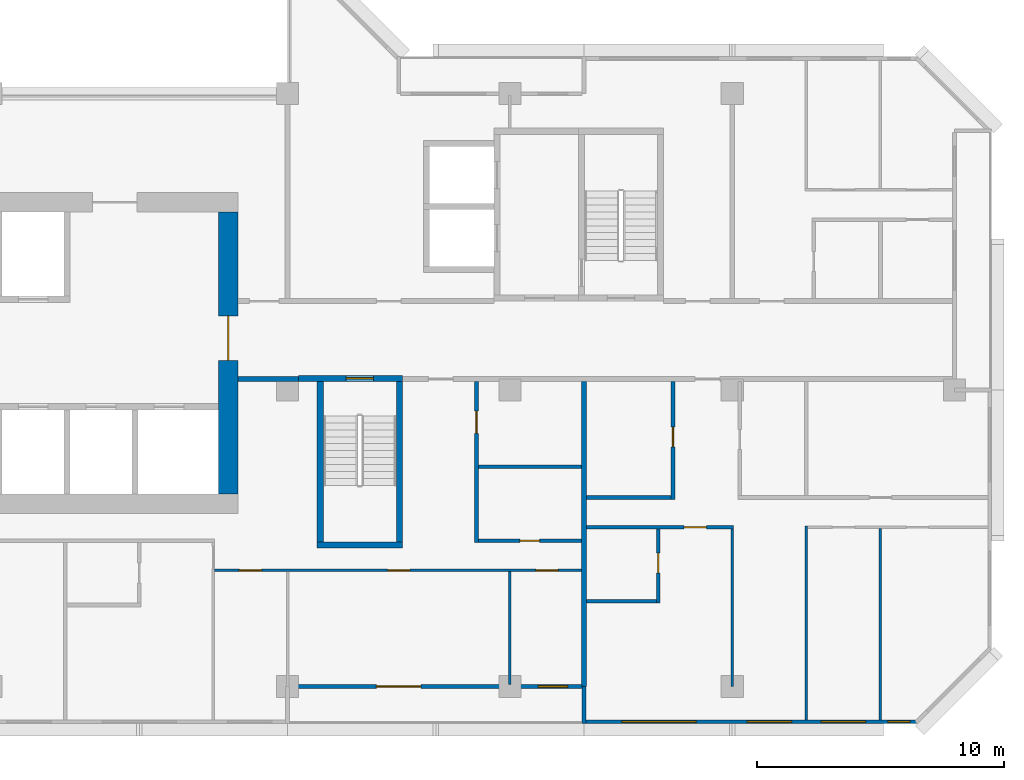
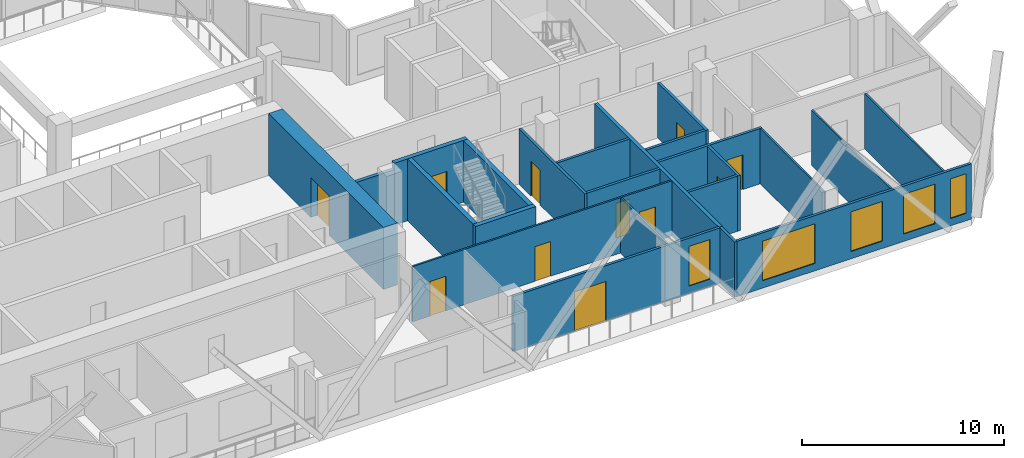
# One storey, part 6 of 14: 23 walls, 11 doors, 5 windows, 16 openings.
"""IFC4 building model written with IfcOpenShell, lengths in metres."""

from ifc_helpers import new_model, si_unit, direction, frame, frame_2d, origin, place, context, subcontext, project, spatial, rectangle, extrude, material, layer, layer_set, type_object, element, fill, save


model = new_model("IFC4")

# Units and contexts
model_context = context("Model", 3, precision=1e-05, world=origin(), true_north=direction((0.0, 1.0)))
body_context = subcontext(model_context, "Body", "Model", "MODEL_VIEW")
ifc_project = project(units=[si_unit("LENGTHUNIT", "METRE"), si_unit("AREAUNIT", "SQUARE_METRE"), si_unit("VOLUMEUNIT", "CUBIC_METRE"), si_unit("PLANEANGLEUNIT", "RADIAN"), si_unit("MASSUNIT", "GRAM", prefix="KILO")], contexts=[model_context])

# Site, building, storey
site_placement = place(None, origin())
site = spatial("IfcSite", under=ifc_project, at=site_placement, CompositionType="ELEMENT")
building_placement = place(site_placement, origin())
building = spatial("IfcBuilding", under=site, at=building_placement, Name="Chenar Terraces", CompositionType="ELEMENT")
storey_placement = place(building_placement, frame((0.0, 0.0, 164.89990234375)))
storey = spatial("IfcBuildingStorey", under=building, at=storey_placement, Name="L37", CompositionType="ELEMENT", Elevation=164.89990234375)

# Wall
ifc_material_1 = material(Name="Concrete C60/75", Category="concrete")
ifc_layer_1 = layer(ifc_material_1, 0.25)
ifc_layer_set_1 = layer_set([ifc_layer_1], Name="Concrete C60/75")
wall_type_1 = type_object("IfcWallType", Name="Core wall 250 Concrete C60/75", PredefinedType="SHEAR", material=ifc_layer_set_1)
wall_1_placement = place(storey_placement, frame((37.199951171875, 5.72509765625, 0.0), z_axis=(0.0, 0.0, 1.0), x_axis=(1.0, 0.0, 0.0)))
element("IfcWall", 1, at=wall_1_placement, inside=storey, type_object=wall_type_1, Name="Core wall ST2_S L37", PredefinedType="SHEAR", context=body_context, shape_type="SweptSolid", body=[
    extrude(rectangle(XDim=3.449951171875, YDim=0.25, at=frame_2d((1.72509765625, 0.0))), origin(), (0.0, 0.0, 1.0), 3.75),
])

# Wall, opening, door
wall_2_placement = place(storey_placement, frame((36.449951171875, 12.47509765625, 0.0), z_axis=(0.0, 0.0, 1.0), x_axis=(1.0, 0.0, 0.0)))
wall_2 = element("IfcWall", 2, at=wall_2_placement, inside=storey, type_object=wall_type_1, Name="Core wall ST2_N L37", PredefinedType="SHEAR", context=body_context, shape_type="SweptSolid", body=[
    extrude(rectangle(XDim=4.199951171875, YDim=0.25, at=frame_2d((2.10009765625, 0.0))), origin(), (0.0, 0.0, 1.0), 3.75),
])
opening_1_placement = place(wall_2_placement, frame((1.925048828125, 0.0, 0.0)))
opening_1 = element("IfcOpeningElement", 3, at=opening_1_placement, cuts=wall_2, Name="Opening DL37-C7", PredefinedType="OPENING", context=body_context, shape_type="SweptSolid", body=[
    extrude(rectangle(XDim=1.10009765625, YDim=2.199951171875, at=frame_2d((0.550048828125, 1.10009765625))), frame((0.0, 0.135009765625, 0.0), z_axis=(0.0, -1.0, 0.0), x_axis=(1.0, 0.0, 0.0)), (0.0, 0.0, 1.0), 0.27001953125),
])
ifc_material_2 = material(Name="Steel-framed fire-resisting door leaf", Category="steel")
door_type_1 = type_object("IfcDoorType", Name="Stair fire door FD60 1100 x 2200", OperationType="SINGLE_SWING_LEFT", PredefinedType="DOOR", material=ifc_material_2)
door_1_placement = place(opening_1_placement, frame((1.10009765625, 0.0, 0.0), z_axis=(0.0, 0.0, 1.0), x_axis=(-1.0, 0.0, 0.0)))
door_1 = element("IfcDoor", 4, at=door_1_placement, inside=storey, type_object=door_type_1, Name="Stair door DL37-C7", OperationType="SINGLE_SWING_RIGHT", OverallHeight=2.199951171875, OverallWidth=1.10009765625, PredefinedType="DOOR", context=body_context, shape_type="SweptSolid", body=[
    extrude(rectangle(XDim=1.10009765625, YDim=2.199951171875, at=frame_2d((0.550048828125, 1.10009765625))), frame((0.0, 0.02490234375, 0.0), z_axis=(0.0, -1.0, 0.0), x_axis=(1.0, 0.0, 0.0)), (0.0, 0.0, 1.0), 0.050048828125),
])
fill(opening_1, door_1)

# Walls
for number, where, z_axis, x_axis, name in (
    (5, (37.324951171875, 5.85009765625, 0.0), (0.0, 0.0, 1.0), (0.0, 1.0, 0.0), "Core wall ST2_W L37"),
    (6, (40.52490234375, 5.85009765625, 0.0), (0.0, 0.0, 1.0), (0.0, 1.0, 0.0), "Core wall ST2_E L37"),
):
    element("IfcWall", number, at=place(storey_placement, frame(where, z_axis=z_axis, x_axis=x_axis)), inside=storey, type_object=wall_type_1, Name=name, PredefinedType="SHEAR", context=body_context, shape_type="SweptSolid", body=[
        extrude(rectangle(XDim=6.5, YDim=0.25, at=frame_2d((3.25, 0.0))), origin(), (0.0, 0.0, 1.0), 3.75),
    ])

# Wall, opening, door
ifc_material_3 = material(Name="Concrete C60/75", Category="concrete")
ifc_layer_2 = layer(ifc_material_3, 0.800048828125)
ifc_layer_set_2 = layer_set([ifc_layer_2], Name="Concrete C60/75")
wall_type_2 = type_object("IfcWallType", Name="Core wall 800 Concrete C60/75", PredefinedType="SHEAR", material=ifc_layer_set_2)
wall_3_placement = place(storey_placement, frame((33.60009765625, 7.800048828125, 0.0), z_axis=(0.0, 0.0, 1.0), x_axis=(0.0, 1.0, 0.0)))
wall_3 = element("IfcWall", 7, at=wall_3_placement, inside=storey, type_object=wall_type_2, Name="Core wall E L37", PredefinedType="SHEAR", context=body_context, shape_type="SweptSolid", body=[
    extrude(rectangle(XDim=11.39990234375, YDim=0.800048828125, at=frame_2d((5.699951171875, 0.0))), origin(), (0.0, 0.0, 1.0), 3.75),
])
opening_2_placement = place(wall_3_placement, frame((5.39990234375, 0.0, 0.0)))
opening_2 = element("IfcOpeningElement", 8, at=opening_2_placement, cuts=wall_3, Name="Opening DL37-C1", PredefinedType="OPENING", context=body_context, shape_type="SweptSolid", body=[
    extrude(rectangle(XDim=1.800048828125, YDim=2.39990234375, at=frame_2d((0.89990234375, 1.199951171875))), frame((0.0, 0.409912109375, 0.0), z_axis=(0.0, -1.0, 0.0), x_axis=(1.0, 0.0, 0.0)), (0.0, 0.0, 1.0), 0.820068359375),
])
ifc_material_4 = material(Name="Steel-framed fire-resisting door leaf", Category="steel")
door_type_2 = type_object("IfcDoorType", Name="Core entrance double fire door FD60 1800 x 2400", OperationType="DOUBLE_DOOR_SINGLE_SWING", PredefinedType="DOOR", material=ifc_material_4)
door_2_placement = place(opening_2_placement, origin())
door_2 = element("IfcDoor", 9, at=door_2_placement, inside=storey, type_object=door_type_2, Name="Core door DL37-C1", OperationType="DOUBLE_DOOR_SINGLE_SWING", OverallHeight=2.39990234375, OverallWidth=1.800048828125, PredefinedType="DOOR", context=body_context, shape_type="SweptSolid", body=[
    extrude(rectangle(XDim=1.800048828125, YDim=2.39990234375, at=frame_2d((0.89990234375, 1.199951171875))), frame((0.0, 0.02490234375, 0.0), z_axis=(0.0, -1.0, 0.0), x_axis=(1.0, 0.0, 0.0)), (0.0, 0.0, 1.0), 0.050048828125),
])
fill(opening_2, door_2)

# Wall
ifc_material_5 = material(Name="Gypsum board on steel studs with fire boards", Category="steel")
ifc_layer_3 = layer(ifc_material_5, 0.199951171875)
ifc_layer_set_3 = layer_set([ifc_layer_3], Name="Gypsum board on steel studs with fire boards")
wall_type_3 = type_object("IfcWallType", Name="Corridor wall 200", PredefinedType="PARTITIONING", material=ifc_layer_set_3)
wall_4_placement = place(storey_placement, frame((34.0, 12.449951171875, 0.0), z_axis=(0.0, 0.0, 1.0), x_axis=(1.0, 0.0, 0.0)))
element("IfcWall", 10, at=wall_4_placement, inside=storey, type_object=wall_type_3, Name="Partition L37-059", PredefinedType="PARTITIONING", context=body_context, shape_type="SweptSolid", body=[
    extrude(rectangle(XDim=2.450927734375, YDim=0.199951171875, at=frame_2d((1.2255859375, 0.0))), origin(), (0.0, 0.0, 1.0), 3.35009765625),
])

# Wall, openings, windows
ifc_material_6 = material(Name="Aluminium framed glazing", Category="aluminium")
ifc_layer_4 = layer(ifc_material_6, 0.14990234375)
ifc_layer_set_4 = layer_set([ifc_layer_4], Name="Aluminium framed glazing")
wall_type_4 = type_object("IfcWallType", Name="Glazed flush facade wall 150", PredefinedType="SOLIDWALL", material=ifc_layer_set_4)
wall_5_placement = place(storey_placement, frame((48.074951171875, -1.425048828125, 0.0), z_axis=(0.0, 0.0, 1.0), x_axis=(1.0, 0.0, 0.0)))
wall_5 = element("IfcWall", 11, at=wall_5_placement, inside=storey, type_object=wall_type_4, Name="Glazed flush facade wall", PredefinedType="SOLIDWALL", context=body_context, shape_type="SweptSolid", body=[
    extrude(rectangle(XDim=13.425048828125, YDim=0.14990234375, at=frame_2d((6.71240234375, 0.0))), origin(), (0.0, 0.0, 1.0), 3.35009765625),
])
opening_3_placement = place(wall_5_placement, frame((1.46240234375, 0.0, 0.449951171875)))
opening_3 = element("IfcOpeningElement", 12, at=opening_3_placement, cuts=wall_5, Name="Opening W300x240", PredefinedType="OPENING", context=body_context, shape_type="SweptSolid", body=[
    extrude(rectangle(XDim=3.0, YDim=2.39990234375, at=frame_2d((1.5, 1.199951171875))), frame((0.0, 0.0849609375, 0.0), z_axis=(0.0, -1.0, 0.0), x_axis=(1.0, 0.0, 0.0)), (0.0, 0.0, 1.0), 0.169921875),
])
opening_4_placement = place(wall_5_placement, frame((6.52490234375, 0.0, 0.449951171875)))
opening_4 = element("IfcOpeningElement", 13, at=opening_4_placement, cuts=wall_5, Name="Opening W180x240", PredefinedType="OPENING", context=body_context, shape_type="SweptSolid", body=[
    extrude(rectangle(XDim=1.800048828125, YDim=2.39990234375, at=frame_2d((0.89990234375, 1.199951171875))), frame((0.0, 0.0849609375, 0.0), z_axis=(0.0, -1.0, 0.0), x_axis=(1.0, 0.0, 0.0)), (0.0, 0.0, 1.0), 0.169921875),
])
opening_5_placement = place(wall_5_placement, frame((9.52490234375, 0.0, 0.449951171875)))
opening_5 = element("IfcOpeningElement", 14, at=opening_5_placement, cuts=wall_5, Name="Opening W180x240", PredefinedType="OPENING", context=body_context, shape_type="SweptSolid", body=[
    extrude(rectangle(XDim=1.800048828125, YDim=2.39990234375, at=frame_2d((0.89990234375, 1.199951171875))), frame((0.0, 0.0849609375, 0.0), z_axis=(0.0, -1.0, 0.0), x_axis=(1.0, 0.0, 0.0)), (0.0, 0.0, 1.0), 0.169921875),
])
opening_6_placement = place(wall_5_placement, frame((12.22509765625, 0.0, 0.449951171875)))
opening_6 = element("IfcOpeningElement", 15, at=opening_6_placement, cuts=wall_5, Name="Opening W90x240", PredefinedType="OPENING", context=body_context, shape_type="SweptSolid", body=[
    extrude(rectangle(XDim=0.89990234375, YDim=2.39990234375, at=frame_2d((0.449951171875, 1.199951171875))), frame((0.0, 0.0849609375, 0.0), z_axis=(0.0, -1.0, 0.0), x_axis=(1.0, 0.0, 0.0)), (0.0, 0.0, 1.0), 0.169921875),
])
ifc_material_7 = material(Name="Low emissivity double glazing, aluminium frame", Category="aluminium")
window_type_1 = type_object("IfcWindowType", Name="Fixed light 1800 x 2400", PartitioningType="SINGLE_PANEL", PredefinedType="WINDOW", material=ifc_material_7)
window_1_placement = place(opening_4_placement, origin())
window_1 = element("IfcWindow", 16, at=window_1_placement, inside=storey, type_object=window_type_1, Name="Window", OverallHeight=2.39990234375, OverallWidth=1.800048828125, PartitioningType="SINGLE_PANEL", PredefinedType="WINDOW", context=body_context, shape_type="SweptSolid", body=[
    extrude(rectangle(XDim=1.800048828125, YDim=2.39990234375, at=frame_2d((0.89990234375, 1.199951171875))), frame((0.0, 0.030029296875, 0.0), z_axis=(0.0, -1.0, 0.0), x_axis=(1.0, 0.0, 0.0)), (0.0, 0.0, 1.0), 0.06005859375),
])
fill(opening_4, window_1)
window_2_placement = place(opening_5_placement, origin())
window_2 = element("IfcWindow", 17, at=window_2_placement, inside=storey, type_object=window_type_1, Name="Window", OverallHeight=2.39990234375, OverallWidth=1.800048828125, PartitioningType="SINGLE_PANEL", PredefinedType="WINDOW", context=body_context, shape_type="SweptSolid", body=[
    extrude(rectangle(XDim=1.800048828125, YDim=2.39990234375, at=frame_2d((0.89990234375, 1.199951171875))), frame((0.0, 0.030029296875, 0.0), z_axis=(0.0, -1.0, 0.0), x_axis=(1.0, 0.0, 0.0)), (0.0, 0.0, 1.0), 0.06005859375),
])
fill(opening_5, window_2)
ifc_material_8 = material(Name="Low emissivity double glazing, aluminium frame", Category="aluminium")
window_type_2 = type_object("IfcWindowType", Name="Fixed light 3000 x 2400", PartitioningType="SINGLE_PANEL", PredefinedType="WINDOW", material=ifc_material_8)
window_3_placement = place(opening_3_placement, origin())
window_3 = element("IfcWindow", 18, at=window_3_placement, inside=storey, type_object=window_type_2, Name="Window", OverallHeight=2.39990234375, OverallWidth=3.0, PartitioningType="SINGLE_PANEL", PredefinedType="WINDOW", context=body_context, shape_type="SweptSolid", body=[
    extrude(rectangle(XDim=3.0, YDim=2.39990234375, at=frame_2d((1.5, 1.199951171875))), frame((0.0, 0.030029296875, 0.0), z_axis=(0.0, -1.0, 0.0), x_axis=(1.0, 0.0, 0.0)), (0.0, 0.0, 1.0), 0.06005859375),
])
fill(opening_3, window_3)
ifc_material_9 = material(Name="Low emissivity double glazing, aluminium frame", Category="aluminium")
window_type_3 = type_object("IfcWindowType", Name="Fixed light 900 x 2400", PartitioningType="SINGLE_PANEL", PredefinedType="WINDOW", material=ifc_material_9)
window_4_placement = place(opening_6_placement, origin())
window_4 = element("IfcWindow", 19, at=window_4_placement, inside=storey, type_object=window_type_3, Name="Window", OverallHeight=2.39990234375, OverallWidth=0.89990234375, PartitioningType="SINGLE_PANEL", PredefinedType="WINDOW", context=body_context, shape_type="SweptSolid", body=[
    extrude(rectangle(XDim=0.89990234375, YDim=2.39990234375, at=frame_2d((0.449951171875, 1.199951171875))), frame((0.0, 0.030029296875, 0.0), z_axis=(0.0, -1.0, 0.0), x_axis=(1.0, 0.0, 0.0)), (0.0, 0.0, 1.0), 0.06005859375),
])
fill(opening_6, window_4)

# Wall, openings, window, door
ifc_material_10 = material(Name="Aluminium framed glazing", Category="aluminium")
ifc_layer_5 = layer(ifc_material_10, 0.14990234375)
ifc_layer_set_5 = layer_set([ifc_layer_5], Name="Aluminium framed glazing")
wall_type_5 = type_object("IfcWallType", Name="Glazed loggia back wall 150", PredefinedType="SOLIDWALL", material=ifc_layer_set_5)
wall_6_placement = place(storey_placement, frame((36.074951171875, 0.0, 0.0), z_axis=(0.0, 0.0, 1.0), x_axis=(1.0, 0.0, 0.0)))
wall_6 = element("IfcWall", 20, at=wall_6_placement, inside=storey, type_object=wall_type_5, Name="Glazed loggia back wall", PredefinedType="SOLIDWALL", context=body_context, shape_type="SweptSolid", body=[
    extrude(rectangle(XDim=11.85009765625, YDim=0.14990234375, at=frame_2d((5.925048828125, 0.0))), origin(), (0.0, 0.0, 1.0), 3.35009765625),
])
opening_7_placement = place(wall_6_placement, frame((3.52490234375, 0.0, 0.0)))
opening_7 = element("IfcOpeningElement", 21, at=opening_7_placement, cuts=wall_6, Name="Opening DL37-G6", PredefinedType="OPENING", context=body_context, shape_type="SweptSolid", body=[
    extrude(rectangle(XDim=1.800048828125, YDim=2.39990234375, at=frame_2d((0.89990234375, 1.199951171875))), frame((0.0, 0.0849609375, 0.0), z_axis=(0.0, -1.0, 0.0), x_axis=(1.0, 0.0, 0.0)), (0.0, 0.0, 1.0), 0.169921875),
])
opening_8_placement = place(wall_6_placement, frame((10.0625, 0.0, 0.449951171875)))
opening_8 = element("IfcOpeningElement", 22, at=opening_8_placement, cuts=wall_6, Name="Opening W120x240", PredefinedType="OPENING", context=body_context, shape_type="SweptSolid", body=[
    extrude(rectangle(XDim=1.199951171875, YDim=2.39990234375, at=frame_2d((0.60009765625, 1.199951171875))), frame((0.0, 0.0849609375, 0.0), z_axis=(0.0, -1.0, 0.0), x_axis=(1.0, 0.0, 0.0)), (0.0, 0.0, 1.0), 0.169921875),
])
ifc_material_11 = material(Name="Low emissivity double glazing, aluminium frame", Category="aluminium")
window_type_4 = type_object("IfcWindowType", Name="Fixed light 1200 x 2400", PartitioningType="SINGLE_PANEL", PredefinedType="WINDOW", material=ifc_material_11)
window_5_placement = place(opening_8_placement, origin())
window_5 = element("IfcWindow", 23, at=window_5_placement, inside=storey, type_object=window_type_4, Name="Window", OverallHeight=2.39990234375, OverallWidth=1.199951171875, PartitioningType="SINGLE_PANEL", PredefinedType="WINDOW", context=body_context, shape_type="SweptSolid", body=[
    extrude(rectangle(XDim=1.199951171875, YDim=2.39990234375, at=frame_2d((0.60009765625, 1.199951171875))), frame((0.0, 0.030029296875, 0.0), z_axis=(0.0, -1.0, 0.0), x_axis=(1.0, 0.0, 0.0)), (0.0, 0.0, 1.0), 0.06005859375),
])
fill(opening_8, window_5)
ifc_material_12 = material(Name="Low emissivity double glazing, aluminium frame", Category="aluminium")
door_type_3 = type_object("IfcDoorType", Name="Loggia glazed double door 1800 x 2400", OperationType="DOUBLE_DOOR_SINGLE_SWING", PredefinedType="DOOR", material=ifc_material_12)
door_3_placement = place(opening_7_placement, frame((1.800048828125, 0.0, 0.0), z_axis=(0.0, 0.0, 1.0), x_axis=(-1.0, 0.0, 0.0)))
door_3 = element("IfcDoor", 24, at=door_3_placement, inside=storey, type_object=door_type_3, Name="Loggia glazed door", OperationType="DOUBLE_DOOR_SINGLE_SWING", OverallHeight=2.39990234375, OverallWidth=1.800048828125, PredefinedType="DOOR", context=body_context, shape_type="SweptSolid", body=[
    extrude(rectangle(XDim=1.800048828125, YDim=2.39990234375, at=frame_2d((0.89990234375, 1.199951171875))), frame((0.0, 0.02490234375, 0.0), z_axis=(0.0, -1.0, 0.0), x_axis=(1.0, 0.0, 0.0)), (0.0, 0.0, 1.0), 0.050048828125),
])
fill(opening_7, door_3)

# Wall, openings, doors
ifc_material_13 = material(Name="Gypsum board on steel studs", Category="steel")
ifc_layer_6 = layer(ifc_material_13, 0.10009765625)
ifc_layer_set_6 = layer_set([ifc_layer_6], Name="Gypsum board on steel studs")
wall_type_6 = type_object("IfcWallType", Name="Gypsum partition 100", PredefinedType="PARTITIONING", material=ifc_layer_set_6)
wall_7_placement = place(storey_placement, frame((33.050048828125, 4.699951171875, 0.0), z_axis=(0.0, 0.0, 1.0), x_axis=(1.0, 0.0, 0.0)))
wall_7 = element("IfcWall", 25, at=wall_7_placement, inside=storey, type_object=wall_type_6, Name="Partition L37-058", PredefinedType="PARTITIONING", context=body_context, shape_type="SweptSolid", body=[
    extrude(rectangle(XDim=14.849853515625, YDim=0.10009765625, at=frame_2d((7.4248046875, 0.0))), origin(), (0.0, 0.0, 1.0), 3.35009765625),
])
opening_9_placement = place(wall_7_placement, frame((1.0, 0.0, 0.0)))
opening_9 = element("IfcOpeningElement", 26, at=opening_9_placement, cuts=wall_7, Name="Opening DL37-48", PredefinedType="OPENING", context=body_context, shape_type="SweptSolid", body=[
    extrude(rectangle(XDim=0.89990234375, YDim=2.10009765625, at=frame_2d((0.449951171875, 1.050048828125))), frame((0.0, 0.06005859375, 0.0), z_axis=(0.0, -1.0, 0.0), x_axis=(1.0, 0.0, 0.0)), (0.0, 0.0, 1.0), 0.1201171875),
])
opening_10_placement = place(wall_7_placement, frame((13.0, 0.0, 0.0)))
opening_10 = element("IfcOpeningElement", 27, at=opening_10_placement, cuts=wall_7, Name="Opening DL37-49", PredefinedType="OPENING", context=body_context, shape_type="SweptSolid", body=[
    extrude(rectangle(XDim=0.89990234375, YDim=2.10009765625, at=frame_2d((0.449951171875, 1.050048828125))), frame((0.0, 0.06005859375, 0.0), z_axis=(0.0, -1.0, 0.0), x_axis=(1.0, 0.0, 0.0)), (0.0, 0.0, 1.0), 0.1201171875),
])
opening_11_placement = place(wall_7_placement, frame((7.0, 0.0, 0.0)))
opening_11 = element("IfcOpeningElement", 28, at=opening_11_placement, cuts=wall_7, Name="Opening DL37-57", PredefinedType="OPENING", context=body_context, shape_type="SweptSolid", body=[
    extrude(rectangle(XDim=0.89990234375, YDim=2.10009765625, at=frame_2d((0.449951171875, 1.050048828125))), frame((0.0, 0.06005859375, 0.0), z_axis=(0.0, -1.0, 0.0), x_axis=(1.0, 0.0, 0.0)), (0.0, 0.0, 1.0), 0.1201171875),
])
ifc_material_14 = material(Name="Veneered timber door leaf", Category="wood")
door_type_4 = type_object("IfcDoorType", Name="Door 900 x 2100", OperationType="SINGLE_SWING_LEFT", PredefinedType="DOOR", material=ifc_material_14)
door_4_placement = place(opening_9_placement, frame((0.89990234375, 0.0, 0.0), z_axis=(0.0, 0.0, 1.0), x_axis=(-1.0, 0.0, 0.0)))
door_4 = element("IfcDoor", 29, at=door_4_placement, inside=storey, type_object=door_type_4, Name="Door DL37-48", OperationType="SINGLE_SWING_LEFT", OverallHeight=2.10009765625, OverallWidth=0.89990234375, PredefinedType="DOOR", context=body_context, shape_type="SweptSolid", body=[
    extrude(rectangle(XDim=0.89990234375, YDim=2.10009765625, at=frame_2d((0.449951171875, 1.050048828125))), frame((0.0, 0.02490234375, 0.0), z_axis=(0.0, -1.0, 0.0), x_axis=(1.0, 0.0, 0.0)), (0.0, 0.0, 1.0), 0.050048828125),
])
fill(opening_9, door_4)
door_5_placement = place(opening_10_placement, frame((0.89990234375, 0.0, 0.0), z_axis=(0.0, 0.0, 1.0), x_axis=(-1.0, 0.0, 0.0)))
door_5 = element("IfcDoor", 30, at=door_5_placement, inside=storey, type_object=door_type_4, Name="Door DL37-49", OperationType="SINGLE_SWING_LEFT", OverallHeight=2.10009765625, OverallWidth=0.89990234375, PredefinedType="DOOR", context=body_context, shape_type="SweptSolid", body=[
    extrude(rectangle(XDim=0.89990234375, YDim=2.10009765625, at=frame_2d((0.449951171875, 1.050048828125))), frame((0.0, 0.02490234375, 0.0), z_axis=(0.0, -1.0, 0.0), x_axis=(1.0, 0.0, 0.0)), (0.0, 0.0, 1.0), 0.050048828125),
])
fill(opening_10, door_5)
door_6_placement = place(opening_11_placement, frame((0.89990234375, 0.0, 0.0), z_axis=(0.0, 0.0, 1.0), x_axis=(-1.0, 0.0, 0.0)))
door_6 = element("IfcDoor", 31, at=door_6_placement, inside=storey, type_object=door_type_4, Name="Door DL37-57", OperationType="SINGLE_SWING_LEFT", OverallHeight=2.10009765625, OverallWidth=0.89990234375, PredefinedType="DOOR", context=body_context, shape_type="SweptSolid", body=[
    extrude(rectangle(XDim=0.89990234375, YDim=2.10009765625, at=frame_2d((0.449951171875, 1.050048828125))), frame((0.0, 0.02490234375, 0.0), z_axis=(0.0, -1.0, 0.0), x_axis=(1.0, 0.0, 0.0)), (0.0, 0.0, 1.0), 0.050048828125),
])
fill(opening_11, door_6)

# Walls
wall_8_placement = place(storey_placement, frame((45.0, 0.073974609375, 0.0), z_axis=(0.0, 0.0, 1.0), x_axis=(0.0, 1.0, 0.0)))
element("IfcWall", 32, at=wall_8_placement, inside=storey, type_object=wall_type_6, Name="Partition L37-067", PredefinedType="PARTITIONING", context=body_context, shape_type="SweptSolid", body=[
    extrude(rectangle(XDim=4.575927734375, YDim=0.10009765625, at=frame_2d((2.2880859375, 0.0))), origin(), (0.0, 0.0, 1.0), 3.35009765625),
])
wall_9_placement = place(storey_placement, frame((54.0, 0.0, 0.0), z_axis=(0.0, 0.0, 1.0), x_axis=(0.0, 1.0, 0.0)))
element("IfcWall", 33, at=wall_9_placement, inside=storey, type_object=wall_type_6, Name="Partition L37-076", PredefinedType="PARTITIONING", context=body_context, shape_type="SweptSolid", body=[
    extrude(rectangle(XDim=6.375, YDim=0.10009765625, at=frame_2d((3.1875, 0.0))), origin(), (0.0, 0.0, 1.0), 3.35009765625),
])
wall_10_placement = place(storey_placement, frame((57.0, -1.35009765625, 0.0), z_axis=(0.0, 0.0, 1.0), x_axis=(0.0, 1.0, 0.0)))
element("IfcWall", 34, at=wall_10_placement, inside=storey, type_object=wall_type_6, Name="Partition L37-081", PredefinedType="PARTITIONING", context=body_context, shape_type="SweptSolid", body=[
    extrude(rectangle(XDim=7.85009765625, YDim=0.10009765625, at=frame_2d((3.925048828125, 0.0))), origin(), (0.0, 0.0, 1.0), 3.35009765625),
])
wall_11_placement = place(storey_placement, frame((60.0, -1.35107421875, 0.0), z_axis=(0.0, 0.0, 1.0), x_axis=(0.0, 1.0, 0.0)))
element("IfcWall", 35, at=wall_11_placement, inside=storey, type_object=wall_type_6, Name="Partition L37-087", PredefinedType="PARTITIONING", context=body_context, shape_type="SweptSolid", body=[
    extrude(rectangle(XDim=7.7509765625, YDim=0.10009765625, at=frame_2d((3.87548828125, 0.0))), origin(), (0.0, 0.0, 1.0), 3.35009765625),
])
ifc_material_15 = material(Name="Terracotta cladding on insulated backing", Category="masonry")
ifc_layer_7 = layer(ifc_material_15, 0.14990234375)
ifc_layer_set_7 = layer_set([ifc_layer_7], Name="Terracotta cladding on insulated backing")
wall_type_7 = type_object("IfcWallType", Name="Loggia return wall 150", PredefinedType="SOLIDWALL", material=ifc_layer_set_7)
wall_12_placement = place(storey_placement, frame((48.0, -1.5, 0.0), z_axis=(0.0, 0.0, 1.0), x_axis=(0.0, 1.0, 0.0)))
element("IfcWall", 36, at=wall_12_placement, inside=storey, type_object=wall_type_7, Name="Loggia return wall", PredefinedType="SOLIDWALL", context=body_context, shape_type="SweptSolid", body=[
    extrude(rectangle(XDim=1.5, YDim=0.14990234375, at=frame_2d((0.75, 0.0))), origin(), (0.0, 0.0, 1.0), 3.35009765625),
])
ifc_material_16 = material(Name="Twin gypsum board on steel studs with mineral wool", Category="steel")
ifc_layer_8 = layer(ifc_material_16, 0.199951171875)
ifc_layer_set_8 = layer_set([ifc_layer_8], Name="Twin gypsum board on steel studs with mineral wool")
wall_type_8 = type_object("IfcWallType", Name="Unit demising wall 200", PredefinedType="PARTITIONING", material=ifc_layer_set_8)
wall_13_placement = place(storey_placement, frame((48.0, 0.0, 0.0), z_axis=(0.0, 0.0, 1.0), x_axis=(0.0, 1.0, 0.0)))
element("IfcWall", 37, at=wall_13_placement, inside=storey, type_object=wall_type_8, Name="Partition L37-069", PredefinedType="PARTITIONING", context=body_context, shape_type="SweptSolid", body=[
    extrude(rectangle(XDim=12.35009765625, YDim=0.199951171875, at=frame_2d((6.175048828125, 0.0))), origin(), (0.0, 0.0, 1.0), 3.35009765625),
])

# Wall, opening, door
ifc_material_17 = material(Name="Moisture-resistant gypsum board on steel studs", Category="steel")
ifc_layer_9 = layer(ifc_material_17, 0.14990234375)
ifc_layer_set_9 = layer_set([ifc_layer_9], Name="Moisture-resistant gypsum board on steel studs")
wall_type_9 = type_object("IfcWallType", Name="Wet-room partition 150", PredefinedType="PARTITIONING", material=ifc_layer_set_9)
wall_14_placement = place(storey_placement, frame((43.64990234375, 5.824951171875, 0.0), z_axis=(0.0, 0.0, 1.0), x_axis=(0.0, 1.0, 0.0)))
wall_14 = element("IfcWall", 38, at=wall_14_placement, inside=storey, type_object=wall_type_9, Name="Partition L37-064", PredefinedType="PARTITIONING", context=body_context, shape_type="SweptSolid", body=[
    extrude(rectangle(XDim=6.525146484375, YDim=0.14990234375, at=frame_2d((3.2626953125, 0.0))), origin(), (0.0, 0.0, 1.0), 3.35009765625),
])
opening_12_placement = place(wall_14_placement, frame((4.425048828125, 0.0, 0.0)))
opening_12 = element("IfcOpeningElement", 39, at=opening_12_placement, cuts=wall_14, Name="Opening DL37-55", PredefinedType="OPENING", context=body_context, shape_type="SweptSolid", body=[
    extrude(rectangle(XDim=0.89990234375, YDim=2.10009765625, at=frame_2d((0.449951171875, 1.050048828125))), frame((0.0, 0.0849609375, 0.0), z_axis=(0.0, -1.0, 0.0), x_axis=(1.0, 0.0, 0.0)), (0.0, 0.0, 1.0), 0.169921875),
])
door_7_placement = place(opening_12_placement, frame((0.89990234375, 0.0, 0.0), z_axis=(0.0, 0.0, 1.0), x_axis=(-1.0, 0.0, 0.0)))
door_7 = element("IfcDoor", 40, at=door_7_placement, inside=storey, type_object=door_type_4, Name="Door DL37-55", OperationType="SINGLE_SWING_LEFT", OverallHeight=2.10009765625, OverallWidth=0.89990234375, PredefinedType="DOOR", context=body_context, shape_type="SweptSolid", body=[
    extrude(rectangle(XDim=0.89990234375, YDim=2.10009765625, at=frame_2d((0.449951171875, 1.050048828125))), frame((0.0, 0.02490234375, 0.0), z_axis=(0.0, -1.0, 0.0), x_axis=(1.0, 0.0, 0.0)), (0.0, 0.0, 1.0), 0.050048828125),
])
fill(opening_12, door_7)

wall_15_placement = place(storey_placement, frame((43.72509765625, 5.89990234375, 0.0), z_axis=(0.0, 0.0, 1.0), x_axis=(1.0, 0.0, 0.0)))
wall_15 = element("IfcWall", 41, at=wall_15_placement, inside=storey, type_object=wall_type_9, Name="Partition L37-065", PredefinedType="PARTITIONING", context=body_context, shape_type="SweptSolid", body=[
    extrude(rectangle(XDim=4.1748046875, YDim=0.14990234375, at=frame_2d((2.08740234375, 0.0))), origin(), (0.0, 0.0, 1.0), 3.35009765625),
])
opening_13_placement = place(wall_15_placement, frame((1.675048828125, 0.0, 0.0)))
opening_13 = element("IfcOpeningElement", 42, at=opening_13_placement, cuts=wall_15, Name="Opening DL37-45", PredefinedType="OPENING", context=body_context, shape_type="SweptSolid", body=[
    extrude(rectangle(XDim=0.800048828125, YDim=2.10009765625, at=frame_2d((0.39990234375, 1.050048828125))), frame((0.0, 0.0849609375, 0.0), z_axis=(0.0, -1.0, 0.0), x_axis=(1.0, 0.0, 0.0)), (0.0, 0.0, 1.0), 0.169921875),
])
ifc_material_18 = material(Name="Veneered timber door leaf", Category="wood")
door_type_5 = type_object("IfcDoorType", Name="Door 800 x 2100", OperationType="SINGLE_SWING_LEFT", PredefinedType="DOOR", material=ifc_material_18)
door_8_placement = place(opening_13_placement, origin())
door_8 = element("IfcDoor", 43, at=door_8_placement, inside=storey, type_object=door_type_5, Name="Door DL37-45", OperationType="SINGLE_SWING_LEFT", OverallHeight=2.10009765625, OverallWidth=0.800048828125, PredefinedType="DOOR", context=body_context, shape_type="SweptSolid", body=[
    extrude(rectangle(XDim=0.800048828125, YDim=2.10009765625, at=frame_2d((0.39990234375, 1.050048828125))), frame((0.0, 0.02490234375, 0.0), z_axis=(0.0, -1.0, 0.0), x_axis=(1.0, 0.0, 0.0)), (0.0, 0.0, 1.0), 0.050048828125),
])
fill(opening_13, door_8)

# Walls
wall_16_placement = place(storey_placement, frame((43.72509765625, 8.89990234375, 0.0), z_axis=(0.0, 0.0, 1.0), x_axis=(1.0, 0.0, 0.0)))
element("IfcWall", 44, at=wall_16_placement, inside=storey, type_object=wall_type_9, Name="Partition L37-066", PredefinedType="PARTITIONING", context=body_context, shape_type="SweptSolid", body=[
    extrude(rectangle(XDim=4.1748046875, YDim=0.14990234375, at=frame_2d((2.08740234375, 0.0))), origin(), (0.0, 0.0, 1.0), 3.35009765625),
])
wall_17_placement = place(storey_placement, frame((48.10009765625, 3.449951171875, 0.0), z_axis=(0.0, 0.0, 1.0), x_axis=(1.0, 0.0, 0.0)))
element("IfcWall", 45, at=wall_17_placement, inside=storey, type_object=wall_type_9, Name="Partition L37-070", PredefinedType="PARTITIONING", context=body_context, shape_type="SweptSolid", body=[
    extrude(rectangle(XDim=2.824951171875, YDim=0.14990234375, at=frame_2d((1.41259765625, 0.0))), origin(), (0.0, 0.0, 1.0), 3.35009765625),
])

# Wall, opening, door
wall_18_placement = place(storey_placement, frame((48.10009765625, 6.449951171875, 0.0), z_axis=(0.0, 0.0, 1.0), x_axis=(1.0, 0.0, 0.0)))
wall_18 = element("IfcWall", 46, at=wall_18_placement, inside=storey, type_object=wall_type_9, Name="Partition L37-071", PredefinedType="PARTITIONING", context=body_context, shape_type="SweptSolid", body=[
    extrude(rectangle(XDim=5.949951171875, YDim=0.14990234375, at=frame_2d((2.97509765625, 0.0))), origin(), (0.0, 0.0, 1.0), 3.35009765625),
])
opening_14_placement = place(wall_18_placement, frame((3.949951171875, 0.0, 0.0)))
opening_14 = element("IfcOpeningElement", 47, at=opening_14_placement, cuts=wall_18, Name="Opening DL37-12", PredefinedType="OPENING", context=body_context, shape_type="SweptSolid", body=[
    extrude(rectangle(XDim=0.89990234375, YDim=2.10009765625, at=frame_2d((0.449951171875, 1.050048828125))), frame((0.0, 0.0849609375, 0.0), z_axis=(0.0, -1.0, 0.0), x_axis=(1.0, 0.0, 0.0)), (0.0, 0.0, 1.0), 0.169921875),
])
door_9_placement = place(opening_14_placement, frame((0.89990234375, 0.0, 0.0), z_axis=(0.0, 0.0, 1.0), x_axis=(-1.0, 0.0, 0.0)))
door_9 = element("IfcDoor", 48, at=door_9_placement, inside=storey, type_object=door_type_4, Name="Door DL37-12", OperationType="SINGLE_SWING_LEFT", OverallHeight=2.10009765625, OverallWidth=0.89990234375, PredefinedType="DOOR", context=body_context, shape_type="SweptSolid", body=[
    extrude(rectangle(XDim=0.89990234375, YDim=2.10009765625, at=frame_2d((0.449951171875, 1.050048828125))), frame((0.0, 0.02490234375, 0.0), z_axis=(0.0, -1.0, 0.0), x_axis=(1.0, 0.0, 0.0)), (0.0, 0.0, 1.0), 0.050048828125),
])
fill(opening_14, door_9)

# Wall
wall_19_placement = place(storey_placement, frame((48.10009765625, 7.64990234375, 0.0), z_axis=(0.0, 0.0, 1.0), x_axis=(1.0, 0.0, 0.0)))
element("IfcWall", 49, at=wall_19_placement, inside=storey, type_object=wall_type_9, Name="Partition L37-072", PredefinedType="PARTITIONING", context=body_context, shape_type="SweptSolid", body=[
    extrude(rectangle(XDim=3.4248046875, YDim=0.14990234375, at=frame_2d((1.71240234375, 0.0))), origin(), (0.0, 0.0, 1.0), 3.35009765625),
])

# Wall, opening, door
wall_20_placement = place(storey_placement, frame((51.0, 3.375, 0.0), z_axis=(0.0, 0.0, 1.0), x_axis=(0.0, 1.0, 0.0)))
wall_20 = element("IfcWall", 50, at=wall_20_placement, inside=storey, type_object=wall_type_9, Name="Partition L37-073", PredefinedType="PARTITIONING", context=body_context, shape_type="SweptSolid", body=[
    extrude(rectangle(XDim=3.0, YDim=0.14990234375, at=frame_2d((1.5, 0.0))), origin(), (0.0, 0.0, 1.0), 3.35009765625),
])
opening_15_placement = place(wall_20_placement, frame((1.22509765625, 0.0, 0.0)))
opening_15 = element("IfcOpeningElement", 51, at=opening_15_placement, cuts=wall_20, Name="Opening DL37-13", PredefinedType="OPENING", context=body_context, shape_type="SweptSolid", body=[
    extrude(rectangle(XDim=0.800048828125, YDim=2.10009765625, at=frame_2d((0.39990234375, 1.050048828125))), frame((0.0, 0.0849609375, 0.0), z_axis=(0.0, -1.0, 0.0), x_axis=(1.0, 0.0, 0.0)), (0.0, 0.0, 1.0), 0.169921875),
])
door_10_placement = place(opening_15_placement, origin())
door_10 = element("IfcDoor", 52, at=door_10_placement, inside=storey, type_object=door_type_5, Name="Door DL37-13", OperationType="SINGLE_SWING_RIGHT", OverallHeight=2.10009765625, OverallWidth=0.800048828125, PredefinedType="DOOR", context=body_context, shape_type="SweptSolid", body=[
    extrude(rectangle(XDim=0.800048828125, YDim=2.10009765625, at=frame_2d((0.39990234375, 1.050048828125))), frame((0.0, 0.02490234375, 0.0), z_axis=(0.0, -1.0, 0.0), x_axis=(1.0, 0.0, 0.0)), (0.0, 0.0, 1.0), 0.050048828125),
])
fill(opening_15, door_10)

wall_21_placement = place(storey_placement, frame((51.60009765625, 7.574951171875, 0.0), z_axis=(0.0, 0.0, 1.0), x_axis=(0.0, 1.0, 0.0)))
wall_21 = element("IfcWall", 53, at=wall_21_placement, inside=storey, type_object=wall_type_9, Name="Partition L37-075", PredefinedType="PARTITIONING", context=body_context, shape_type="SweptSolid", body=[
    extrude(rectangle(XDim=4.775146484375, YDim=0.14990234375, at=frame_2d((2.3876953125, 0.0))), origin(), (0.0, 0.0, 1.0), 3.35009765625),
])
opening_16_placement = place(wall_21_placement, frame((2.125, 0.0, 0.0)))
opening_16 = element("IfcOpeningElement", 54, at=opening_16_placement, cuts=wall_21, Name="Opening DL37-15", PredefinedType="OPENING", context=body_context, shape_type="SweptSolid", body=[
    extrude(rectangle(XDim=0.800048828125, YDim=2.10009765625, at=frame_2d((0.39990234375, 1.050048828125))), frame((0.0, 0.0849609375, 0.0), z_axis=(0.0, -1.0, 0.0), x_axis=(1.0, 0.0, 0.0)), (0.0, 0.0, 1.0), 0.169921875),
])
door_11_placement = place(opening_16_placement, origin())
door_11 = element("IfcDoor", 55, at=door_11_placement, inside=storey, type_object=door_type_5, Name="Door DL37-15", OperationType="SINGLE_SWING_LEFT", OverallHeight=2.10009765625, OverallWidth=0.800048828125, PredefinedType="DOOR", context=body_context, shape_type="SweptSolid", body=[
    extrude(rectangle(XDim=0.800048828125, YDim=2.10009765625, at=frame_2d((0.39990234375, 1.050048828125))), frame((0.0, 0.02490234375, 0.0), z_axis=(0.0, -1.0, 0.0), x_axis=(1.0, 0.0, 0.0)), (0.0, 0.0, 1.0), 0.050048828125),
])
fill(opening_16, door_11)

save(model, "model.ifc")
